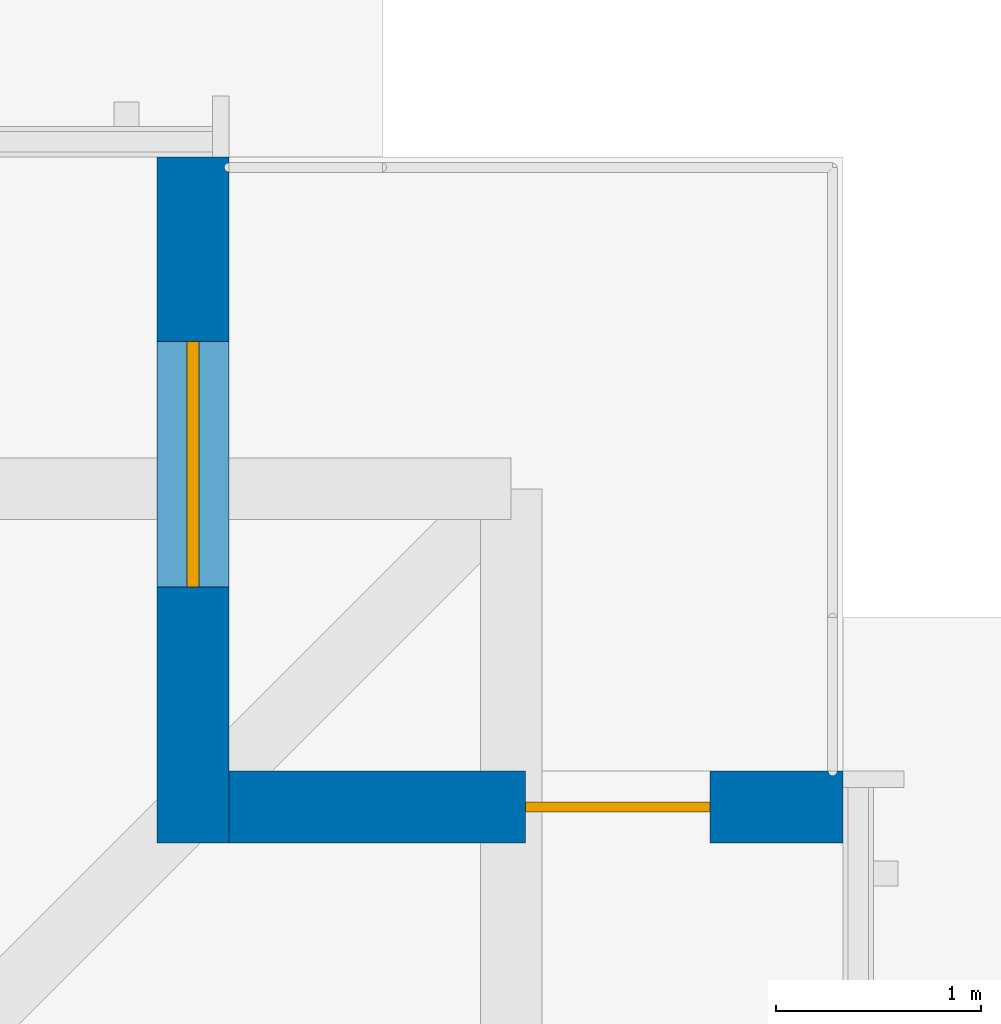
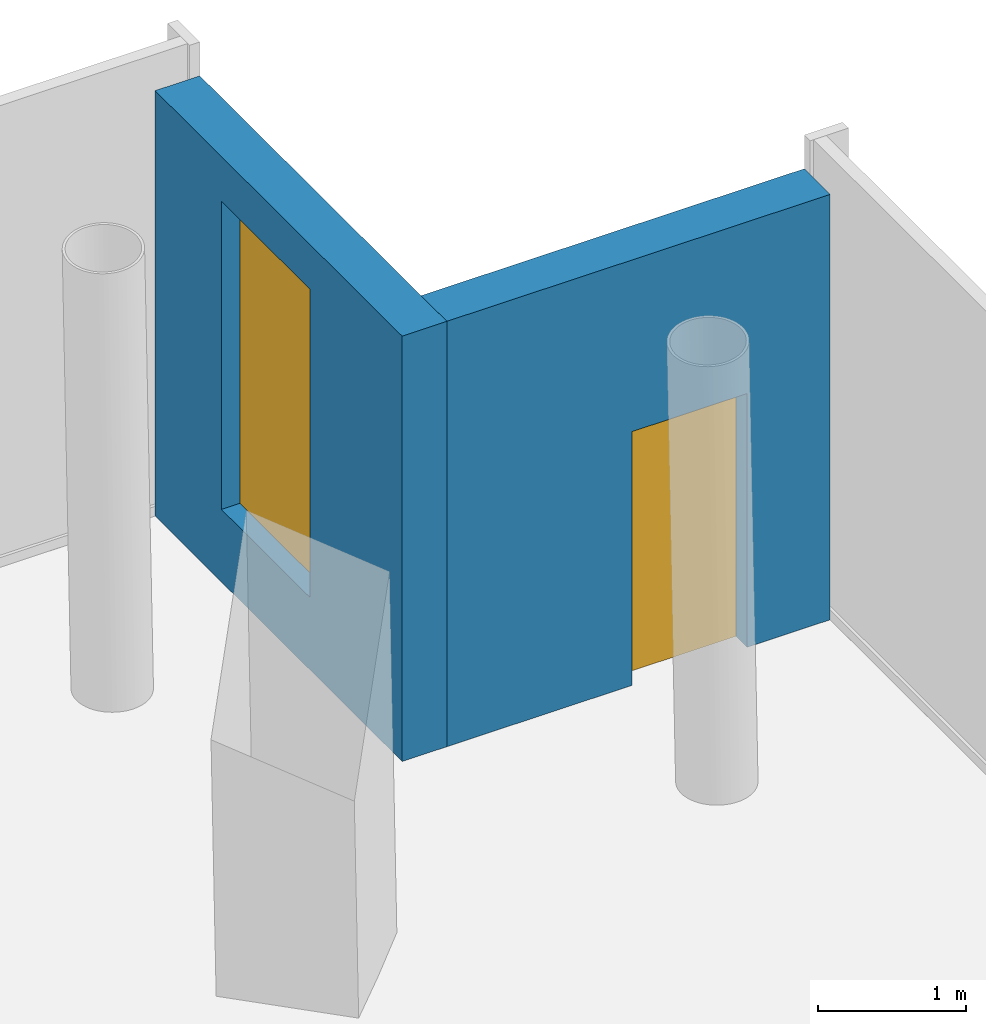
# One storey, part 15 of 28: 2 walls, 1 door, 1 window, 2 openings.
"""IFC4 building model written with IfcOpenShell, lengths in metres."""

from ifc_helpers import new_model, si_unit, direction, frame, frame_2d, origin, place, context, subcontext, project, spatial, rectangle, extrude, material, layer, layer_set, type_object, element, fill, save


model = new_model("IFC4")

# Units and contexts
model_context = context("Model", 3, precision=1e-05, world=origin(), true_north=direction((0.0, 1.0)))
body_context = subcontext(model_context, "Body", "Model", "MODEL_VIEW")
ifc_project = project(units=[si_unit("LENGTHUNIT", "METRE"), si_unit("AREAUNIT", "SQUARE_METRE"), si_unit("VOLUMEUNIT", "CUBIC_METRE"), si_unit("PLANEANGLEUNIT", "RADIAN"), si_unit("MASSUNIT", "GRAM", prefix="KILO")], contexts=[model_context])

# Site, building, storey
site_placement = place(None, origin())
site = spatial("IfcSite", under=ifc_project, at=site_placement, CompositionType="ELEMENT")
building_placement = place(site_placement, origin())
building = spatial("IfcBuilding", under=site, at=building_placement, Name="Ostroluk Exchange", CompositionType="ELEMENT")
storey_placement = place(building_placement, frame((0.0, 0.0, 81.800048828125)))
storey = spatial("IfcBuildingStorey", under=building, at=storey_placement, Name="L20", CompositionType="ELEMENT", Elevation=81.800048828125)

# Wall, opening, window
ifc_material_1 = material(Name="Limestone", Category="masonry")
ifc_layer = layer(ifc_material_1, 0.35009765625)
ifc_layer_set = layer_set([ifc_layer], Name="Limestone facade wall 350")
wall_type = type_object("IfcWallType", Name="Limestone facade wall 350", PredefinedType="SOLIDWALL", material=ifc_layer_set)
wall_1_placement = place(storey_placement, frame((131.824951171875, 64.0, 0.0), z_axis=(0.0, 0.0, 1.0), x_axis=(0.0, -1.0, 0.0)))
wall_1 = element("IfcWall", 1, at=wall_1_placement, inside=storey, type_object=wall_type, Name="Hotel tower NE corner wall L20 a", PredefinedType="SOLIDWALL", context=body_context, shape_type="SweptSolid", body=[
    extrude(rectangle(XDim=3.35009765625, YDim=0.35009765625, at=frame_2d((1.675048828125, 0.0))), origin(), (0.0, 0.0, 1.0), 3.52001953125),
])
opening_1_placement = place(wall_1_placement, frame((0.89990234375, 0.0, 0.60009765625)))
opening_1 = element("IfcOpeningElement", 2, at=opening_1_placement, cuts=wall_1, Name="Opening WN-LV1", PredefinedType="OPENING", context=body_context, shape_type="SweptSolid", body=[
    extrude(rectangle(XDim=1.199951171875, YDim=2.550048828125, at=frame_2d((0.60009765625, 1.27490234375))), frame((0.0, 0.18505859375, 0.0), z_axis=(0.0, -1.0, 0.0), x_axis=(1.0, 0.0, 0.0)), (0.0, 0.0, 1.0), 0.3701171875),
])
ifc_material_2 = material(Name="Aluminium louvre", Category="aluminium")
window_type = type_object("IfcWindowType", Name="Lancet louvre 1200 x 2550", PartitioningType="SINGLE_PANEL", PredefinedType="USERDEFINED", material=ifc_material_2)
window_placement = place(opening_1_placement, origin())
window = element("IfcWindow", 3, at=window_placement, inside=storey, type_object=window_type, Name="Hotel tower NE plant louvre L20", ObjectType="LOUVRE", OverallHeight=2.550048828125, OverallWidth=1.199951171875, PartitioningType="SINGLE_PANEL", PredefinedType="USERDEFINED", context=body_context, shape_type="SweptSolid", body=[
    extrude(rectangle(XDim=1.199951171875, YDim=2.550048828125, at=frame_2d((0.60009765625, 1.27490234375))), frame((0.0, 0.030029296875, 0.0), z_axis=(0.0, -1.0, 0.0), x_axis=(1.0, 0.0, 0.0)), (0.0, 0.0, 1.0), 0.06005859375),
])
fill(opening_1, window)

# Wall, opening, door
wall_2_placement = place(storey_placement, frame((132.0, 60.824951171875, 0.0), z_axis=(0.0, 0.0, 1.0), x_axis=(1.0, 0.0, 0.0)))
wall_2 = element("IfcWall", 4, at=wall_2_placement, inside=storey, type_object=wall_type, Name="Hotel tower NE corner wall L20 b", PredefinedType="SOLIDWALL", context=body_context, shape_type="SweptSolid", body=[
    extrude(rectangle(XDim=3.0, YDim=0.35009765625, at=frame_2d((1.5, 0.0))), origin(), (0.0, 0.0, 1.0), 3.52001953125),
])
opening_2_placement = place(wall_2_placement, frame((1.449951171875, 0.0, 0.0)))
opening_2 = element("IfcOpeningElement", 5, at=opening_2_placement, cuts=wall_2, Name="Opening D-M1", PredefinedType="OPENING", context=body_context, shape_type="SweptSolid", body=[
    extrude(rectangle(XDim=0.89990234375, YDim=2.10009765625, at=frame_2d((0.449951171875, 1.050048828125))), frame((0.0, 0.18505859375, 0.0), z_axis=(0.0, -1.0, 0.0), x_axis=(1.0, 0.0, 0.0)), (0.0, 0.0, 1.0), 0.3701171875),
])
ifc_material_3 = material(Name="Steel door", Category="steel")
door_type = type_object("IfcDoorType", Name="Maintenance access door 900 x 2100", OperationType="SINGLE_SWING_LEFT", PredefinedType="DOOR", material=ifc_material_3)
door_placement = place(opening_2_placement, origin())
door = element("IfcDoor", 6, at=door_placement, inside=storey, type_object=door_type, Name="Maintenance access door T2 L20 NE", OperationType="SINGLE_SWING_RIGHT", OverallHeight=2.10009765625, OverallWidth=0.89990234375, PredefinedType="DOOR", context=body_context, shape_type="SweptSolid", body=[
    extrude(rectangle(XDim=0.89990234375, YDim=2.10009765625, at=frame_2d((0.449951171875, 1.050048828125))), frame((0.0, 0.02490234375, 0.0), z_axis=(0.0, -1.0, 0.0), x_axis=(1.0, 0.0, 0.0)), (0.0, 0.0, 1.0), 0.050048828125),
])
fill(opening_2, door)

save(model, "model.ifc")
